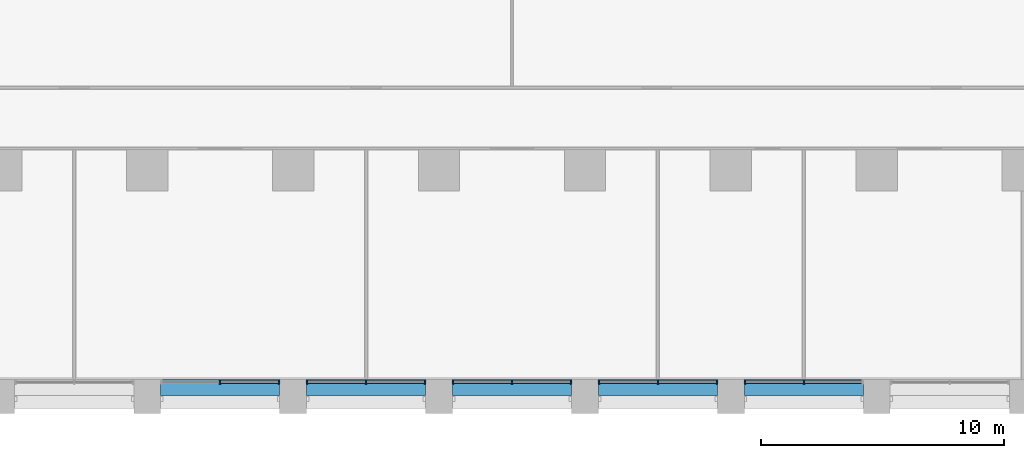
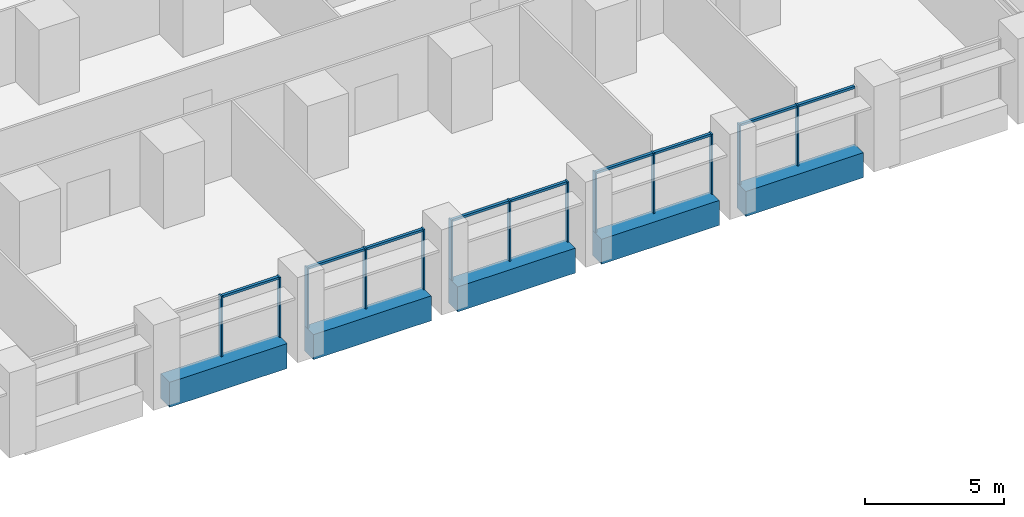
# One storey, part 3 of 18: 22 members, 5 beams, 5 elements without a shape of their own.
"""IFC4 building model written with IfcOpenShell, lengths in metres."""

from ifc_helpers import new_model, si_unit, direction, frame, origin, origin_2d, place, context, subcontext, project, spatial, rectangle, extrude, material, material_profile, profile_set, type_object, element, aggregate, save


model = new_model("IFC4")

# Units and contexts
model_context = context("Model", 3, precision=1e-05, world=origin(), true_north=direction((0.0, 1.0)))
body_context = subcontext(model_context, "Body", "Model", "MODEL_VIEW")
ifc_project = project(units=[si_unit("LENGTHUNIT", "METRE"), si_unit("AREAUNIT", "SQUARE_METRE"), si_unit("VOLUMEUNIT", "CUBIC_METRE"), si_unit("PLANEANGLEUNIT", "RADIAN"), si_unit("MASSUNIT", "GRAM", prefix="KILO")], contexts=[model_context])

# Site, building, storey
site_placement = place(None, origin())
site = spatial("IfcSite", under=ifc_project, at=site_placement, CompositionType="ELEMENT")
building_placement = place(site_placement, origin())
building = spatial("IfcBuilding", under=site, at=building_placement, Name="Calvaro Tower", CompositionType="ELEMENT")
storey_placement = place(building_placement, frame((0.0, 0.0, 45.0)))
storey = spatial("IfcBuildingStorey", under=building, at=storey_placement, Name="L10", CompositionType="ELEMENT", Elevation=45.0)

# Curtain wall, members
ifc_material_1 = material(Name="Anodised aluminium", Category="aluminium")
curtain_wall_type = type_object("IfcCurtainWallType", Name="Office curtain wall, lower zone", PredefinedType="NOTDEFINED", material=ifc_material_1)
curtain_wall_1_placement = place(storey_placement, origin())
curtain_wall_1 = element("IfcCurtainWall", 1, at=curtain_wall_1_placement, inside=storey, type_object=curtain_wall_type, Name="CW1 south curtain wall", PredefinedType="NOTDEFINED")
ifc_material_2 = material(Name="Anodised aluminium", Category="aluminium")
ifc_material_profile_1 = material_profile(ifc_material_2, rectangle(XDim=0.199951171875, YDim=0.06005859375, at=origin_2d()), Name="Mullion S1 60 x 200")
ifc_profile_set_1 = profile_set([ifc_material_profile_1], Name="Anodised aluminium")
member_type_1 = type_object("IfcMemberType", Name="Mullion S1 60 x 200", PredefinedType="MULLION", material=ifc_profile_set_1)
member_1_placement = place(storey_placement, frame((39.0, 1.300048828125, 0.0), z_axis=(0.0, 0.0, 1.0), x_axis=(0.0, 1.0, 0.0)))
member_1 = element("IfcMember", 2, at=member_1_placement, type_object=member_type_1, Name="CW1 mullion 2", PredefinedType="MULLION", context=body_context, shape_type="SweptSolid", body=[
    extrude(rectangle(XDim=0.199951171875, YDim=0.06005859375, at=origin_2d()), origin(), (0.0, 0.0, 1.0), 2.64990234375),
])
member_2_placement = place(storey_placement, frame((41.419921875, 1.300048828125, 0.0), z_axis=(0.0, 0.0, 1.0), x_axis=(0.0, 1.0, 0.0)))
member_2 = element("IfcMember", 3, at=member_2_placement, type_object=member_type_1, Name="CW1 mullion 3", PredefinedType="MULLION", context=body_context, shape_type="SweptSolid", body=[
    extrude(rectangle(XDim=0.199951171875, YDim=0.06005859375, at=origin_2d()), origin(), (0.0, 0.0, 1.0), 2.64990234375),
])

curtain_wall_2_placement = place(storey_placement, origin())
curtain_wall_2 = element("IfcCurtainWall", 4, at=curtain_wall_2_placement, inside=storey, type_object=curtain_wall_type, Name="CW1 south curtain wall", PredefinedType="NOTDEFINED")
member_3_placement = place(storey_placement, frame((42.580078125, 1.300048828125, 0.0), z_axis=(0.0, 0.0, 1.0), x_axis=(0.0, 1.0, 0.0)))
member_3 = element("IfcMember", 5, at=member_3_placement, type_object=member_type_1, Name="CW1 mullion 1", PredefinedType="MULLION", context=body_context, shape_type="SweptSolid", body=[
    extrude(rectangle(XDim=0.199951171875, YDim=0.06005859375, at=origin_2d()), origin(), (0.0, 0.0, 1.0), 2.64990234375),
])
member_4_placement = place(storey_placement, frame((45.0, 1.300048828125, 0.0), z_axis=(0.0, 0.0, 1.0), x_axis=(0.0, 1.0, 0.0)))
member_4 = element("IfcMember", 6, at=member_4_placement, type_object=member_type_1, Name="CW1 mullion 2", PredefinedType="MULLION", context=body_context, shape_type="SweptSolid", body=[
    extrude(rectangle(XDim=0.199951171875, YDim=0.06005859375, at=origin_2d()), origin(), (0.0, 0.0, 1.0), 2.64990234375),
])
member_5_placement = place(storey_placement, frame((47.419921875, 1.300048828125, 0.0), z_axis=(0.0, 0.0, 1.0), x_axis=(0.0, 1.0, 0.0)))
member_5 = element("IfcMember", 7, at=member_5_placement, type_object=member_type_1, Name="CW1 mullion 3", PredefinedType="MULLION", context=body_context, shape_type="SweptSolid", body=[
    extrude(rectangle(XDim=0.199951171875, YDim=0.06005859375, at=origin_2d()), origin(), (0.0, 0.0, 1.0), 2.64990234375),
])

curtain_wall_3_placement = place(storey_placement, origin())
curtain_wall_3 = element("IfcCurtainWall", 8, at=curtain_wall_3_placement, inside=storey, type_object=curtain_wall_type, Name="CW1 south curtain wall", PredefinedType="NOTDEFINED")
member_6_placement = place(storey_placement, frame((48.580078125, 1.300048828125, 0.0), z_axis=(0.0, 0.0, 1.0), x_axis=(0.0, 1.0, 0.0)))
member_6 = element("IfcMember", 9, at=member_6_placement, type_object=member_type_1, Name="CW1 mullion 1", PredefinedType="MULLION", context=body_context, shape_type="SweptSolid", body=[
    extrude(rectangle(XDim=0.199951171875, YDim=0.06005859375, at=origin_2d()), origin(), (0.0, 0.0, 1.0), 2.64990234375),
])
member_7_placement = place(storey_placement, frame((51.0, 1.300048828125, 0.0), z_axis=(0.0, 0.0, 1.0), x_axis=(0.0, 1.0, 0.0)))
member_7 = element("IfcMember", 10, at=member_7_placement, type_object=member_type_1, Name="CW1 mullion 2", PredefinedType="MULLION", context=body_context, shape_type="SweptSolid", body=[
    extrude(rectangle(XDim=0.199951171875, YDim=0.06005859375, at=origin_2d()), origin(), (0.0, 0.0, 1.0), 2.64990234375),
])
member_8_placement = place(storey_placement, frame((53.419921875, 1.300048828125, 0.0), z_axis=(0.0, 0.0, 1.0), x_axis=(0.0, 1.0, 0.0)))
member_8 = element("IfcMember", 11, at=member_8_placement, type_object=member_type_1, Name="CW1 mullion 3", PredefinedType="MULLION", context=body_context, shape_type="SweptSolid", body=[
    extrude(rectangle(XDim=0.199951171875, YDim=0.06005859375, at=origin_2d()), origin(), (0.0, 0.0, 1.0), 2.64990234375),
])

curtain_wall_4_placement = place(storey_placement, origin())
curtain_wall_4 = element("IfcCurtainWall", 12, at=curtain_wall_4_placement, inside=storey, type_object=curtain_wall_type, Name="CW1 south curtain wall", PredefinedType="NOTDEFINED")
member_9_placement = place(storey_placement, frame((54.580078125, 1.300048828125, 0.0), z_axis=(0.0, 0.0, 1.0), x_axis=(0.0, 1.0, 0.0)))
member_9 = element("IfcMember", 13, at=member_9_placement, type_object=member_type_1, Name="CW1 mullion 1", PredefinedType="MULLION", context=body_context, shape_type="SweptSolid", body=[
    extrude(rectangle(XDim=0.199951171875, YDim=0.06005859375, at=origin_2d()), origin(), (0.0, 0.0, 1.0), 2.64990234375),
])
member_10_placement = place(storey_placement, frame((57.0, 1.300048828125, 0.0), z_axis=(0.0, 0.0, 1.0), x_axis=(0.0, 1.0, 0.0)))
member_10 = element("IfcMember", 14, at=member_10_placement, type_object=member_type_1, Name="CW1 mullion 2", PredefinedType="MULLION", context=body_context, shape_type="SweptSolid", body=[
    extrude(rectangle(XDim=0.199951171875, YDim=0.06005859375, at=origin_2d()), origin(), (0.0, 0.0, 1.0), 2.64990234375),
])
member_11_placement = place(storey_placement, frame((59.419921875, 1.300048828125, 0.0), z_axis=(0.0, 0.0, 1.0), x_axis=(0.0, 1.0, 0.0)))
member_11 = element("IfcMember", 15, at=member_11_placement, type_object=member_type_1, Name="CW1 mullion 3", PredefinedType="MULLION", context=body_context, shape_type="SweptSolid", body=[
    extrude(rectangle(XDim=0.199951171875, YDim=0.06005859375, at=origin_2d()), origin(), (0.0, 0.0, 1.0), 2.64990234375),
])

curtain_wall_5_placement = place(storey_placement, origin())
curtain_wall_5 = element("IfcCurtainWall", 16, at=curtain_wall_5_placement, inside=storey, type_object=curtain_wall_type, Name="CW1 south curtain wall", PredefinedType="NOTDEFINED")
member_12_placement = place(storey_placement, frame((60.580078125, 1.300048828125, 0.0), z_axis=(0.0, 0.0, 1.0), x_axis=(0.0, 1.0, 0.0)))
member_12 = element("IfcMember", 17, at=member_12_placement, type_object=member_type_1, Name="CW1 mullion 1", PredefinedType="MULLION", context=body_context, shape_type="SweptSolid", body=[
    extrude(rectangle(XDim=0.199951171875, YDim=0.06005859375, at=origin_2d()), origin(), (0.0, 0.0, 1.0), 2.64990234375),
])
member_13_placement = place(storey_placement, frame((63.0, 1.300048828125, 0.0), z_axis=(0.0, 0.0, 1.0), x_axis=(0.0, 1.0, 0.0)))
member_13 = element("IfcMember", 18, at=member_13_placement, type_object=member_type_1, Name="CW1 mullion 2", PredefinedType="MULLION", context=body_context, shape_type="SweptSolid", body=[
    extrude(rectangle(XDim=0.199951171875, YDim=0.06005859375, at=origin_2d()), origin(), (0.0, 0.0, 1.0), 2.64990234375),
])

# Beams
ifc_material_3 = material(Name="Concrete C50/60 precast", Category="concrete")
ifc_material_profile_2 = material_profile(ifc_material_3, rectangle(XDim=0.64990234375, YDim=1.10009765625, at=origin_2d()), Name="RC 650x1100")
ifc_profile_set_2 = profile_set([ifc_material_profile_2], Name="Concrete C50/60 precast")
beam_type = type_object("IfcBeamType", Name="Spandrel beam 650x1100 C50/60", PredefinedType="SPANDREL", material=ifc_profile_set_2)
for number, where, z_axis, x_axis, name in (
    (19, (36.550048828125, 1.074951171875, -0.550048828125), (1.0, 0.0, 0.0), (0.0, 1.0, 0.0), "Spandrel beam"),
    (20, (42.550048828125, 1.074951171875, -0.550048828125), (1.0, 0.0, 0.0), (0.0, 1.0, 0.0), "Spandrel beam"),
    (21, (48.550048828125, 1.074951171875, -0.550048828125), (1.0, 0.0, 0.0), (0.0, 1.0, 0.0), "Spandrel beam"),
    (22, (54.550048828125, 1.074951171875, -0.550048828125), (1.0, 0.0, 0.0), (0.0, 1.0, 0.0), "Spandrel beam"),
    (23, (60.550048828125, 1.074951171875, -0.550048828125), (1.0, 0.0, 0.0), (0.0, 1.0, 0.0), "Spandrel beam"),
):
    element("IfcBeam", number, at=place(storey_placement, frame(where, z_axis=z_axis, x_axis=x_axis)), inside=storey, type_object=beam_type, Name=name, PredefinedType="SPANDREL", context=body_context, shape_type="SweptSolid", body=[
        extrude(rectangle(XDim=0.64990234375, YDim=1.10009765625, at=origin_2d()), origin(), (0.0, 0.0, 1.0), 4.89990234375),
    ])

# Member
ifc_material_4 = material(Name="Anodised aluminium", Category="aluminium")
ifc_material_profile_3 = material_profile(ifc_material_4, rectangle(XDim=0.1201171875, YDim=0.10009765625, at=origin_2d()), Name="Transom S1 100 x 120")
ifc_profile_set_3 = profile_set([ifc_material_profile_3], Name="Anodised aluminium")
member_type_2 = type_object("IfcMemberType", Name="Transom S1 100 x 120", PredefinedType="USERDEFINED", material=ifc_profile_set_3)
member_14_placement = place(storey_placement, frame((39.030029296875, 1.300048828125, 2.60009765625), z_axis=(1.0, 0.0, 0.0), x_axis=(0.0, 1.0, 0.0)))
member_14 = element("IfcMember", 24, at=member_14_placement, type_object=member_type_2, Name="CW1 transom 2.1", ObjectType="TRANSOM", PredefinedType="USERDEFINED", context=body_context, shape_type="SweptSolid", body=[
    extrude(rectangle(XDim=0.1201171875, YDim=0.10009765625, at=origin_2d()), origin(), (0.0, 0.0, 1.0), 2.35986328125),
])

aggregate(curtain_wall_1, [member_1, member_2, member_14])

member_15_placement = place(storey_placement, frame((42.610107421875, 1.300048828125, 2.60009765625), z_axis=(1.0, 0.0, 0.0), x_axis=(0.0, 1.0, 0.0)))
member_15 = element("IfcMember", 25, at=member_15_placement, type_object=member_type_2, Name="CW1 transom 1.1", ObjectType="TRANSOM", PredefinedType="USERDEFINED", context=body_context, shape_type="SweptSolid", body=[
    extrude(rectangle(XDim=0.1201171875, YDim=0.10009765625, at=origin_2d()), origin(), (0.0, 0.0, 1.0), 2.35986328125),
])

member_16_placement = place(storey_placement, frame((45.030029296875, 1.300048828125, 2.60009765625), z_axis=(1.0, 0.0, 0.0), x_axis=(0.0, 1.0, 0.0)))
member_16 = element("IfcMember", 26, at=member_16_placement, type_object=member_type_2, Name="CW1 transom 2.1", ObjectType="TRANSOM", PredefinedType="USERDEFINED", context=body_context, shape_type="SweptSolid", body=[
    extrude(rectangle(XDim=0.1201171875, YDim=0.10009765625, at=origin_2d()), origin(), (0.0, 0.0, 1.0), 2.35986328125),
])

aggregate(curtain_wall_2, [member_3, member_4, member_5, member_15, member_16])

member_17_placement = place(storey_placement, frame((48.610107421875, 1.300048828125, 2.60009765625), z_axis=(1.0, 0.0, 0.0), x_axis=(0.0, 1.0, 0.0)))
member_17 = element("IfcMember", 27, at=member_17_placement, type_object=member_type_2, Name="CW1 transom 1.1", ObjectType="TRANSOM", PredefinedType="USERDEFINED", context=body_context, shape_type="SweptSolid", body=[
    extrude(rectangle(XDim=0.1201171875, YDim=0.10009765625, at=origin_2d()), origin(), (0.0, 0.0, 1.0), 2.35986328125),
])

member_18_placement = place(storey_placement, frame((51.030029296875, 1.300048828125, 2.60009765625), z_axis=(1.0, 0.0, 0.0), x_axis=(0.0, 1.0, 0.0)))
member_18 = element("IfcMember", 28, at=member_18_placement, type_object=member_type_2, Name="CW1 transom 2.1", ObjectType="TRANSOM", PredefinedType="USERDEFINED", context=body_context, shape_type="SweptSolid", body=[
    extrude(rectangle(XDim=0.1201171875, YDim=0.10009765625, at=origin_2d()), origin(), (0.0, 0.0, 1.0), 2.35986328125),
])

aggregate(curtain_wall_3, [member_6, member_7, member_8, member_17, member_18])

member_19_placement = place(storey_placement, frame((54.610107421875, 1.300048828125, 2.60009765625), z_axis=(1.0, 0.0, 0.0), x_axis=(0.0, 1.0, 0.0)))
member_19 = element("IfcMember", 29, at=member_19_placement, type_object=member_type_2, Name="CW1 transom 1.1", ObjectType="TRANSOM", PredefinedType="USERDEFINED", context=body_context, shape_type="SweptSolid", body=[
    extrude(rectangle(XDim=0.1201171875, YDim=0.10009765625, at=origin_2d()), origin(), (0.0, 0.0, 1.0), 2.35986328125),
])

member_20_placement = place(storey_placement, frame((57.030029296875, 1.300048828125, 2.60009765625), z_axis=(1.0, 0.0, 0.0), x_axis=(0.0, 1.0, 0.0)))
member_20 = element("IfcMember", 30, at=member_20_placement, type_object=member_type_2, Name="CW1 transom 2.1", ObjectType="TRANSOM", PredefinedType="USERDEFINED", context=body_context, shape_type="SweptSolid", body=[
    extrude(rectangle(XDim=0.1201171875, YDim=0.10009765625, at=origin_2d()), origin(), (0.0, 0.0, 1.0), 2.35986328125),
])

aggregate(curtain_wall_4, [member_9, member_10, member_11, member_19, member_20])

member_21_placement = place(storey_placement, frame((60.610107421875, 1.300048828125, 2.60009765625), z_axis=(1.0, 0.0, 0.0), x_axis=(0.0, 1.0, 0.0)))
member_21 = element("IfcMember", 31, at=member_21_placement, type_object=member_type_2, Name="CW1 transom 1.1", ObjectType="TRANSOM", PredefinedType="USERDEFINED", context=body_context, shape_type="SweptSolid", body=[
    extrude(rectangle(XDim=0.1201171875, YDim=0.10009765625, at=origin_2d()), origin(), (0.0, 0.0, 1.0), 2.35986328125),
])

member_22_placement = place(storey_placement, frame((63.030029296875, 1.300048828125, 2.60009765625), z_axis=(1.0, 0.0, 0.0), x_axis=(0.0, 1.0, 0.0)))
member_22 = element("IfcMember", 32, at=member_22_placement, type_object=member_type_2, Name="CW1 transom 2.1", ObjectType="TRANSOM", PredefinedType="USERDEFINED", context=body_context, shape_type="SweptSolid", body=[
    extrude(rectangle(XDim=0.1201171875, YDim=0.10009765625, at=origin_2d()), origin(), (0.0, 0.0, 1.0), 2.35986328125),
])

aggregate(curtain_wall_5, [member_12, member_13, member_21, member_22])

save(model, "model.ifc")
